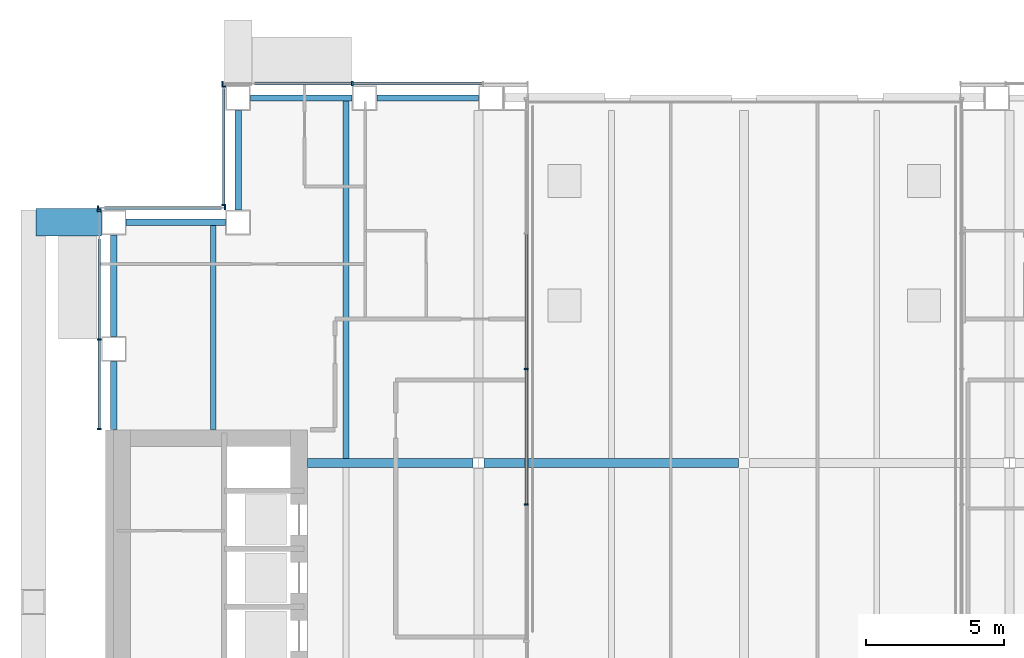
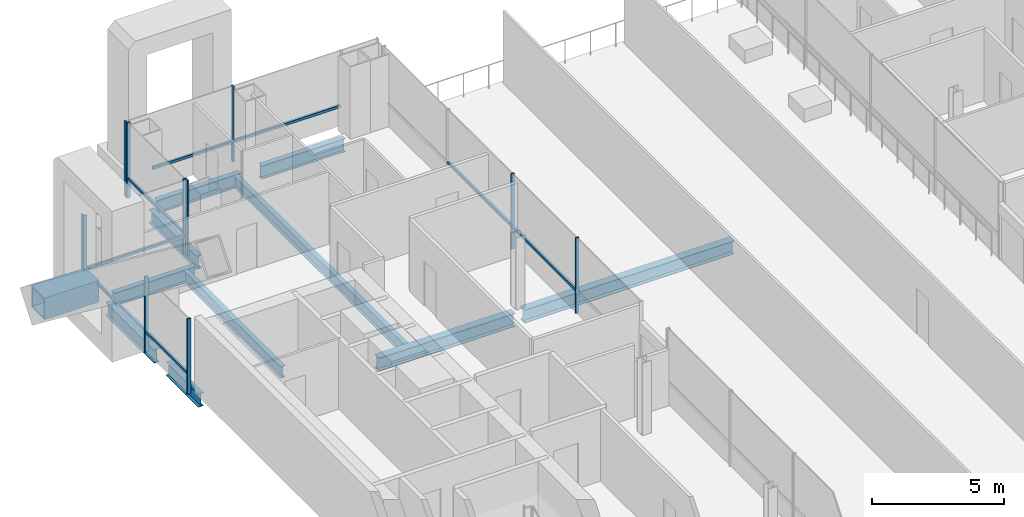
# One storey, part 8 of 20: 19 members, 11 beams, 5 elements without a shape of their own.
"""IFC4 building model written with IfcOpenShell, lengths in metres."""

from ifc_helpers import new_model, si_unit, direction, frame, origin, origin_2d, place, context, subcontext, project, spatial, rectangle, hollow_rectangle, i_section, extrude, material, material_profile, profile_set, type_object, element, aggregate, save


model = new_model("IFC4")

# Units and contexts
model_context = context("Model", 3, precision=1e-05, world=origin(), true_north=direction((0.0, 1.0)))
body_context = subcontext(model_context, "Body", "Model", "MODEL_VIEW")
ifc_project = project(units=[si_unit("LENGTHUNIT", "METRE"), si_unit("AREAUNIT", "SQUARE_METRE"), si_unit("VOLUMEUNIT", "CUBIC_METRE"), si_unit("PLANEANGLEUNIT", "RADIAN"), si_unit("MASSUNIT", "GRAM", prefix="KILO")], contexts=[model_context])

# Site, building, storey
site_placement = place(None, origin())
site = spatial("IfcSite", under=ifc_project, at=site_placement, CompositionType="ELEMENT")
building_placement = place(site_placement, origin())
building = spatial("IfcBuilding", under=site, at=building_placement, Name="Cobrizo Arcos Hotel Tower", CompositionType="ELEMENT")
storey_placement = place(building_placement, frame((0.0, 0.0, 117.0)))
storey = spatial("IfcBuildingStorey", under=building, at=storey_placement, Name="L29", CompositionType="ELEMENT", Elevation=117.0)

# Beam
ifc_material_1 = material(Name="Steel ASTM A572 Grade 50", Category="steel")
ifc_material_profile_1 = material_profile(ifc_material_1, hollow_rectangle(XDim=1.0, YDim=1.0, WallThickness=0.06005859375, at=origin_2d()), Name="BOX 1000X1000X60")
ifc_profile_set_1 = profile_set([ifc_material_profile_1], Name="Steel ASTM A572 Grade 50")
beam_type_1 = type_object("IfcBeamType", Name="BOX 1000X1000X60 brace connector strut", PredefinedType="BEAM", material=ifc_profile_set_1)
beam_1_placement = place(storey_placement, frame((-23.239990234375, 18.300048828125, 0.5), z_axis=(-1.0, 0.0, 0.0), x_axis=(0.0, -1.0, 0.0)))
element("IfcBeam", 1, at=beam_1_placement, inside=storey, type_object=beam_type_1, Name="Perimeter brace stub BS1, zone Z2, west face, offset +18.30 m, L29", PredefinedType="BEAM", context=body_context, shape_type="SweptSolid", body=[
    extrude(hollow_rectangle(XDim=1.0, YDim=1.0, WallThickness=0.06005859375, at=origin_2d()), origin(), (0.0, 0.0, 1.0), 2.380126953125),
])

# Curtain wall, members
ifc_material_2 = material(Name="Aluminium 6063-T6 anodised bronze", Category="aluminium")
curtain_wall_type_1 = type_object("IfcCurtainWallType", Name="CW-A guest facade", PredefinedType="NOTDEFINED", material=ifc_material_2)
curtain_wall_1_placement = place(storey_placement, origin())
curtain_wall_1 = element("IfcCurtainWall", 2, at=curtain_wall_1_placement, inside=storey, type_object=curtain_wall_type_1, Name="CW-A L29 N face", PredefinedType="NOTDEFINED")
ifc_material_profile_2 = material_profile(ifc_material_2, rectangle(XDim=0.14990234375, YDim=0.06005859375, at=origin_2d()), Name="CW-A mullion 150x60")
ifc_profile_set_2 = profile_set([ifc_material_profile_2], Name="Aluminium 6063-T6 anodised bronze")
member_type_1 = type_object("IfcMemberType", Name="CW-A mullion 150x60", PredefinedType="MULLION", material=ifc_profile_set_2)
member_1_placement = place(storey_placement, frame((-14.175048828125, 23.324951171875, 0.0), z_axis=(0.0, 0.0, 1.0), x_axis=(0.0, 1.0, 0.0)))
member_1 = element("IfcMember", 3, at=member_1_placement, type_object=member_type_1, Name="CW-A mullion 3", PredefinedType="MULLION", context=body_context, shape_type="SweptSolid", body=[
    extrude(rectangle(XDim=0.14990234375, YDim=0.06005859375, at=origin_2d()), origin(), (0.0, 0.0, 1.0), 3.5),
])
member_2_placement = place(storey_placement, frame((-18.8701171875, 23.324951171875, 0.0), z_axis=(0.0, 0.0, 1.0), x_axis=(0.0, 1.0, 0.0)))
member_2 = element("IfcMember", 4, at=member_2_placement, type_object=member_type_1, Name="CW-A mullion 4", PredefinedType="MULLION", context=body_context, shape_type="SweptSolid", body=[
    extrude(rectangle(XDim=0.14990234375, YDim=0.06005859375, at=origin_2d()), origin(), (0.0, 0.0, 1.0), 3.5),
])

curtain_wall_2_placement = place(storey_placement, origin())
curtain_wall_2 = element("IfcCurtainWall", 5, at=curtain_wall_2_placement, inside=storey, type_object=curtain_wall_type_1, Name="CW-A L29 W face", PredefinedType="NOTDEFINED")
member_3_placement = place(storey_placement, frame((-18.824951171875, 23.219970703125, 0.0), z_axis=(0.0, 0.0, 1.0), x_axis=(-1.0, 0.0, 0.0)))
member_3 = element("IfcMember", 6, at=member_3_placement, type_object=member_type_1, Name="CW-A mullion 1", PredefinedType="MULLION", context=body_context, shape_type="SweptSolid", body=[
    extrude(rectangle(XDim=0.14990234375, YDim=0.06005859375, at=origin_2d()), origin(), (0.0, 0.0, 1.0), 3.5),
])
member_4_placement = place(storey_placement, frame((-18.824951171875, 18.929931640625, 0.0), z_axis=(0.0, 0.0, 1.0), x_axis=(-1.0, 0.0, 0.0)))
member_4 = element("IfcMember", 7, at=member_4_placement, type_object=member_type_1, Name="CW-A mullion 2", PredefinedType="MULLION", context=body_context, shape_type="SweptSolid", body=[
    extrude(rectangle(XDim=0.14990234375, YDim=0.06005859375, at=origin_2d()), origin(), (0.0, 0.0, 1.0), 3.5),
])

curtain_wall_3_placement = place(storey_placement, origin())
curtain_wall_3 = element("IfcCurtainWall", 8, at=curtain_wall_3_placement, inside=storey, type_object=curtain_wall_type_1, Name="CW-A L29 N face", PredefinedType="NOTDEFINED")
member_5_placement = place(storey_placement, frame((-18.780029296875, 18.824951171875, 0.0), z_axis=(0.0, 0.0, 1.0), x_axis=(0.0, 1.0, 0.0)))
member_5 = element("IfcMember", 9, at=member_5_placement, type_object=member_type_1, Name="CW-A mullion 1", PredefinedType="MULLION", context=body_context, shape_type="SweptSolid", body=[
    extrude(rectangle(XDim=0.14990234375, YDim=0.06005859375, at=origin_2d()), origin(), (0.0, 0.0, 1.0), 3.5),
])
member_6_placement = place(storey_placement, frame((-23.3701171875, 18.824951171875, 0.0), z_axis=(0.0, 0.0, 1.0), x_axis=(0.0, 1.0, 0.0)))
member_6 = element("IfcMember", 10, at=member_6_placement, type_object=member_type_1, Name="CW-A mullion 2", PredefinedType="MULLION", context=body_context, shape_type="SweptSolid", body=[
    extrude(rectangle(XDim=0.14990234375, YDim=0.06005859375, at=origin_2d()), origin(), (0.0, 0.0, 1.0), 3.5),
])

curtain_wall_4_placement = place(storey_placement, origin())
curtain_wall_4 = element("IfcCurtainWall", 11, at=curtain_wall_4_placement, inside=storey, type_object=curtain_wall_type_1, Name="CW-A L29 W face", PredefinedType="NOTDEFINED")
member_7_placement = place(storey_placement, frame((-23.324951171875, 18.719970703125, 0.0), z_axis=(0.0, 0.0, 1.0), x_axis=(-1.0, 0.0, 0.0)))
member_7 = element("IfcMember", 12, at=member_7_placement, type_object=member_type_1, Name="CW-A mullion 1", PredefinedType="MULLION", context=body_context, shape_type="SweptSolid", body=[
    extrude(rectangle(XDim=0.14990234375, YDim=0.06005859375, at=origin_2d()), origin(), (0.0, 0.0, 1.0), 3.5),
])
member_8_placement = place(storey_placement, frame((-23.324951171875, 14.0625, 0.0), z_axis=(0.0, 0.0, 1.0), x_axis=(-1.0, 0.0, 0.0)))
member_8 = element("IfcMember", 13, at=member_8_placement, type_object=member_type_1, Name="CW-A mullion 2", PredefinedType="MULLION", context=body_context, shape_type="SweptSolid", body=[
    extrude(rectangle(XDim=0.14990234375, YDim=0.06005859375, at=origin_2d()), origin(), (0.0, 0.0, 1.0), 3.5),
])
member_9_placement = place(storey_placement, frame((-23.324951171875, 10.830078125, 0.0), z_axis=(0.0, 0.0, 1.0), x_axis=(-1.0, 0.0, 0.0)))
member_9 = element("IfcMember", 14, at=member_9_placement, type_object=member_type_1, Name="CW-A mullion 3", PredefinedType="MULLION", context=body_context, shape_type="SweptSolid", body=[
    extrude(rectangle(XDim=0.14990234375, YDim=0.06005859375, at=origin_2d()), origin(), (0.0, 0.0, 1.0), 3.5),
])

# Member
ifc_material_profile_3 = material_profile(ifc_material_2, rectangle(XDim=0.10009765625, YDim=0.1201171875, at=origin_2d()), Name="CW-A transom 120x100")
ifc_profile_set_3 = profile_set([ifc_material_profile_3], Name="Aluminium 6063-T6 anodised bronze")
member_type_2 = type_object("IfcMemberType", Name="CW-A transom 120x100", PredefinedType="USERDEFINED", material=ifc_profile_set_3)
member_10_placement = place(storey_placement, frame((-9.47998046875, 23.324951171875, 0.929931640625), z_axis=(-1.0, 0.0, 0.0), x_axis=(0.0, -1.0, 0.0)))
member_10 = element("IfcMember", 15, at=member_10_placement, type_object=member_type_2, Name="CW-A transom 1125", ObjectType="TRANSOM", PredefinedType="USERDEFINED", context=body_context, shape_type="SweptSolid", body=[
    extrude(rectangle(XDim=0.10009765625, YDim=0.1201171875, at=origin_2d()), origin(), (0.0, 0.0, 1.0), 4.6650390625),
])

member_11_placement = place(storey_placement, frame((-14.205078125, 23.324951171875, 0.929931640625), z_axis=(-1.0, 0.0, 0.0), x_axis=(0.0, -1.0, 0.0)))
member_11 = element("IfcMember", 16, at=member_11_placement, type_object=member_type_2, Name="CW-A transom 1126", ObjectType="TRANSOM", PredefinedType="USERDEFINED", context=body_context, shape_type="SweptSolid", body=[
    extrude(rectangle(XDim=0.10009765625, YDim=0.1201171875, at=origin_2d()), origin(), (0.0, 0.0, 1.0), 3.494873046875),
])

aggregate(curtain_wall_1, [member_1, member_2, member_10, member_11])

member_12_placement = place(storey_placement, frame((-18.824951171875, 23.139892578125, 0.929931640625), z_axis=(0.0, -1.0, 0.0), x_axis=(1.0, 0.0, 0.0)))
member_12 = element("IfcMember", 17, at=member_12_placement, type_object=member_type_2, Name="CW-A transom 1127", ObjectType="TRANSOM", PredefinedType="USERDEFINED", context=body_context, shape_type="SweptSolid", body=[
    extrude(rectangle(XDim=0.10009765625, YDim=0.1201171875, at=origin_2d()), origin(), (0.0, 0.0, 1.0), 4.179931640625),
])

aggregate(curtain_wall_2, [member_3, member_4, member_12])

member_13_placement = place(storey_placement, frame((-18.89990234375, 18.824951171875, 0.929931640625), z_axis=(-1.0, 0.0, 0.0), x_axis=(0.0, -1.0, 0.0)))
member_13 = element("IfcMember", 18, at=member_13_placement, type_object=member_type_2, Name="CW-A transom 1128", ObjectType="TRANSOM", PredefinedType="USERDEFINED", context=body_context, shape_type="SweptSolid", body=[
    extrude(rectangle(XDim=0.10009765625, YDim=0.1201171875, at=origin_2d()), origin(), (0.0, 0.0, 1.0), 4.239990234375),
])

aggregate(curtain_wall_3, [member_5, member_6, member_13])

member_14_placement = place(storey_placement, frame((-23.324951171875, 17.699951171875, 0.929931640625), z_axis=(0.0, -1.0, 0.0), x_axis=(1.0, 0.0, 0.0)))
member_14 = element("IfcMember", 19, at=member_14_placement, type_object=member_type_2, Name="CW-A transom 1129", ObjectType="TRANSOM", PredefinedType="USERDEFINED", context=body_context, shape_type="SweptSolid", body=[
    extrude(rectangle(XDim=0.10009765625, YDim=0.1201171875, at=origin_2d()), origin(), (0.0, 0.0, 1.0), 3.607421875),
])

member_15_placement = place(storey_placement, frame((-23.324951171875, 14.032470703125, 0.929931640625), z_axis=(0.0, -1.0, 0.0), x_axis=(1.0, 0.0, 0.0)))
member_15 = element("IfcMember", 20, at=member_15_placement, type_object=member_type_2, Name="CW-A transom 1130", ObjectType="TRANSOM", PredefinedType="USERDEFINED", context=body_context, shape_type="SweptSolid", body=[
    extrude(rectangle(XDim=0.10009765625, YDim=0.1201171875, at=origin_2d()), origin(), (0.0, 0.0, 1.0), 3.17236328125),
])

aggregate(curtain_wall_4, [member_7, member_8, member_9, member_14, member_15])

# Curtain wall, members
curtain_wall_type_2 = type_object("IfcCurtainWallType", Name="CW-F void screen", PredefinedType="NOTDEFINED", material=ifc_material_2)
curtain_wall_5_placement = place(storey_placement, origin())
curtain_wall_5 = element("IfcCurtainWall", 21, at=curtain_wall_5_placement, inside=storey, type_object=curtain_wall_type_2, Name="CW-F L29 void screen B", PredefinedType="NOTDEFINED")
ifc_material_profile_4 = material_profile(ifc_material_2, rectangle(XDim=0.14990234375, YDim=0.06005859375, at=origin_2d()), Name="CW-F mullion 150x60")
ifc_profile_set_4 = profile_set([ifc_material_profile_4], Name="Aluminium 6063-T6 anodised bronze")
member_type_3 = type_object("IfcMemberType", Name="CW-F mullion 150x60", PredefinedType="MULLION", material=ifc_profile_set_4)
member_16_placement = place(storey_placement, frame((-7.875, 13.0, 0.0), z_axis=(0.0, 0.0, 1.0), x_axis=(-1.0, 0.0, 0.0)))
member_16 = element("IfcMember", 22, at=member_16_placement, type_object=member_type_3, Name="CW-F mullion 3", PredefinedType="MULLION", context=body_context, shape_type="SweptSolid", body=[
    extrude(rectangle(XDim=0.14990234375, YDim=0.06005859375, at=origin_2d()), origin(), (0.0, 0.0, 1.0), 3.5),
])
member_17_placement = place(storey_placement, frame((-7.875, 8.10009765625, 0.0), z_axis=(0.0, 0.0, 1.0), x_axis=(-1.0, 0.0, 0.0)))
member_17 = element("IfcMember", 23, at=member_17_placement, type_object=member_type_3, Name="CW-F mullion 4", PredefinedType="MULLION", context=body_context, shape_type="SweptSolid", body=[
    extrude(rectangle(XDim=0.14990234375, YDim=0.06005859375, at=origin_2d()), origin(), (0.0, 0.0, 1.0), 3.5),
])
ifc_material_profile_5 = material_profile(ifc_material_2, rectangle(XDim=0.10009765625, YDim=0.1201171875, at=origin_2d()), Name="CW-F transom 120x100")
ifc_profile_set_5 = profile_set([ifc_material_profile_5], Name="Aluminium 6063-T6 anodised bronze")
member_type_4 = type_object("IfcMemberType", Name="CW-F transom 120x100", PredefinedType="USERDEFINED", material=ifc_profile_set_5)
member_18_placement = place(storey_placement, frame((-7.875, 17.8701171875, 1.050048828125), z_axis=(0.0, -1.0, 0.0), x_axis=(1.0, 0.0, 0.0)))
member_18 = element("IfcMember", 24, at=member_18_placement, type_object=member_type_4, Name="CW-F transom 2578", ObjectType="TRANSOM", PredefinedType="USERDEFINED", context=body_context, shape_type="SweptSolid", body=[
    extrude(rectangle(XDim=0.10009765625, YDim=0.1201171875, at=origin_2d()), origin(), (0.0, 0.0, 1.0), 4.840087890625),
])
member_19_placement = place(storey_placement, frame((-7.875, 12.969970703125, 1.050048828125), z_axis=(0.0, -1.0, 0.0), x_axis=(1.0, 0.0, 0.0)))
member_19 = element("IfcMember", 25, at=member_19_placement, type_object=member_type_4, Name="CW-F transom 2579", ObjectType="TRANSOM", PredefinedType="USERDEFINED", context=body_context, shape_type="SweptSolid", body=[
    extrude(rectangle(XDim=0.10009765625, YDim=0.1201171875, at=origin_2d()), origin(), (0.0, 0.0, 1.0), 4.840087890625),
])
aggregate(curtain_wall_5, [member_16, member_17, member_18, member_19])

# Beams
ifc_material_3 = material(Name="Steel ASTM A992 Grade 50", Category="steel")
ifc_material_profile_6 = material_profile(ifc_material_3, i_section(OverallWidth=0.209228515625, OverallDepth=0.533447265625, WebThickness=0.01025390625, FlangeThickness=0.015625, at=origin_2d()), Name="W21X62")
ifc_profile_set_6 = profile_set([ifc_material_profile_6], Name="Steel ASTM A992 Grade 50")
beam_type_2 = type_object("IfcBeamType", Name="W21X62 joist", PredefinedType="JOIST", material=ifc_profile_set_6)
beam_2_placement = place(storey_placement, frame((-19.199951171875, 10.81005859375, -0.416748046875), z_axis=(0.0, 1.0, 0.0), x_axis=(-1.0, 0.0, 0.0)))
element("IfcBeam", 26, at=beam_2_placement, inside=storey, type_object=beam_type_2, Name="Floor joist J1, L29, no. 002", PredefinedType="JOIST", context=body_context, shape_type="SweptSolid", body=[
    extrude(i_section(OverallWidth=0.209228515625, OverallDepth=0.533447265625, WebThickness=0.01025390625, FlangeThickness=0.015625, at=origin_2d()), origin(), (0.0, 0.0, 1.0), 7.39990234375),
])
beam_3_placement = place(storey_placement, frame((-14.39990234375, 9.763916015625, -0.416748046875), z_axis=(0.0, 1.0, 0.0), x_axis=(-1.0, 0.0, 0.0)))
element("IfcBeam", 27, at=beam_3_placement, inside=storey, type_object=beam_type_2, Name="Floor joist J1, L29, no. 006", PredefinedType="JOIST", context=body_context, shape_type="SweptSolid", body=[
    extrude(i_section(OverallWidth=0.209228515625, OverallDepth=0.533447265625, WebThickness=0.01025390625, FlangeThickness=0.015625, at=origin_2d()), origin(), (0.0, 0.0, 1.0), 12.946044921875),
])
ifc_material_profile_7 = material_profile(ifc_material_3, i_section(OverallWidth=0.32763671875, OverallDepth=0.622314453125, WebThickness=0.015380859375, FlangeThickness=0.0244140625, at=origin_2d()), Name="W24X131")
ifc_profile_set_7 = profile_set([ifc_material_profile_7], Name="Steel ASTM A992 Grade 50")
beam_type_3 = type_object("IfcBeamType", Name="W24X131 girder", PredefinedType="BEAM", material=ifc_profile_set_7)
beam_4_placement = place(storey_placement, frame((-15.7900390625, 9.60009765625, -0.461181640625), z_axis=(1.0, 0.0, 0.0), x_axis=(0.0, 1.0, 0.0)))
element("IfcBeam", 28, at=beam_4_placement, inside=storey, type_object=beam_type_3, Name="Floor girder G1, L29, no. 009", PredefinedType="BEAM", context=body_context, shape_type="SweptSolid", body=[
    extrude(i_section(OverallWidth=0.32763671875, OverallDepth=0.622314453125, WebThickness=0.015380859375, FlangeThickness=0.0244140625, at=origin_2d()), origin(), (0.0, 0.0, 1.0), 5.99072265625),
])
beam_5_placement = place(storey_placement, frame((-9.400634765625, 9.60009765625, -0.461181640625), z_axis=(1.0, 0.0, 0.0), x_axis=(0.0, 1.0, 0.0)))
element("IfcBeam", 29, at=beam_5_placement, inside=storey, type_object=beam_type_3, Name="Floor girder G1, L29, no. 010", PredefinedType="BEAM", context=body_context, shape_type="SweptSolid", body=[
    extrude(i_section(OverallWidth=0.32763671875, OverallDepth=0.622314453125, WebThickness=0.015380859375, FlangeThickness=0.0244140625, at=origin_2d()), origin(), (0.0, 0.0, 1.0), 9.201171875),
])
ifc_material_profile_8 = material_profile(ifc_material_3, i_section(OverallWidth=0.23046875, OverallDepth=0.6171875, WebThickness=0.01318359375, FlangeThickness=0.022216796875, at=origin_2d()), Name="W24X94")
ifc_profile_set_8 = profile_set([ifc_material_profile_8], Name="Steel ASTM A992 Grade 50")
beam_type_4 = type_object("IfcBeamType", Name="W24X94 spandrel", PredefinedType="SPANDREL", material=ifc_profile_set_8)
beam_6_placement = place(storey_placement, frame((-9.60009765625, 22.800048828125, -0.45849609375), z_axis=(-1.0, 0.0, 0.0), x_axis=(0.0, -1.0, 0.0)))
element("IfcBeam", 30, at=beam_6_placement, inside=storey, type_object=beam_type_4, Name="Spandrel beam W24X94, L29, no. 019", PredefinedType="SPANDREL", context=body_context, shape_type="SweptSolid", body=[
    extrude(i_section(OverallWidth=0.23046875, OverallDepth=0.6171875, WebThickness=0.01318359375, FlangeThickness=0.022216796875, at=origin_2d()), origin(), (0.0, 0.0, 1.0), 3.6748046875),
])
beam_7_placement = place(storey_placement, frame((-14.175048828125, 22.800048828125, -0.45849609375), z_axis=(-1.0, 0.0, 0.0), x_axis=(0.0, -1.0, 0.0)))
element("IfcBeam", 31, at=beam_7_placement, inside=storey, type_object=beam_type_4, Name="Spandrel beam W24X94, L29, no. 020", PredefinedType="SPANDREL", context=body_context, shape_type="SweptSolid", body=[
    extrude(i_section(OverallWidth=0.23046875, OverallDepth=0.6171875, WebThickness=0.01318359375, FlangeThickness=0.022216796875, at=origin_2d()), origin(), (0.0, 0.0, 1.0), 3.675048828125),
])
for number, where, z_axis, x_axis, name in (
    (32, (-18.300048828125, 22.35009765625, -0.45849609375), (0.0, -1.0, 0.0), (1.0, 0.0, 0.0), "Spandrel beam W24X94, L29, no. 021"),
    (33, (-18.75, 18.300048828125, -0.45849609375), (-1.0, 0.0, 0.0), (0.0, -1.0, 0.0), "Spandrel beam W24X94, L29, no. 022"),
):
    element("IfcBeam", number, at=place(storey_placement, frame(where, z_axis=z_axis, x_axis=x_axis)), inside=storey, type_object=beam_type_4, Name=name, PredefinedType="SPANDREL", context=body_context, shape_type="SweptSolid", body=[
        extrude(i_section(OverallWidth=0.23046875, OverallDepth=0.6171875, WebThickness=0.01318359375, FlangeThickness=0.022216796875, at=origin_2d()), origin(), (0.0, 0.0, 1.0), 3.60009765625),
    ])
beam_8_placement = place(storey_placement, frame((-22.800048828125, 17.85009765625, -0.45849609375), z_axis=(0.0, -1.0, 0.0), x_axis=(1.0, 0.0, 0.0)))
element("IfcBeam", 34, at=beam_8_placement, inside=storey, type_object=beam_type_4, Name="Spandrel beam W24X94, L29, no. 023", PredefinedType="SPANDREL", context=body_context, shape_type="SweptSolid", body=[
    extrude(i_section(OverallWidth=0.23046875, OverallDepth=0.6171875, WebThickness=0.01318359375, FlangeThickness=0.022216796875, at=origin_2d()), origin(), (0.0, 0.0, 1.0), 3.675048828125),
])
beam_9_placement = place(storey_placement, frame((-22.800048828125, 13.27490234375, -0.45849609375), z_axis=(0.0, -1.0, 0.0), x_axis=(1.0, 0.0, 0.0)))
element("IfcBeam", 35, at=beam_9_placement, inside=storey, type_object=beam_type_4, Name="Spandrel beam W24X94, L29, no. 024", PredefinedType="SPANDREL", context=body_context, shape_type="SweptSolid", body=[
    extrude(i_section(OverallWidth=0.23046875, OverallDepth=0.6171875, WebThickness=0.01318359375, FlangeThickness=0.022216796875, at=origin_2d()), origin(), (0.0, 0.0, 1.0), 2.46484375),
])

save(model, "model.ifc")
